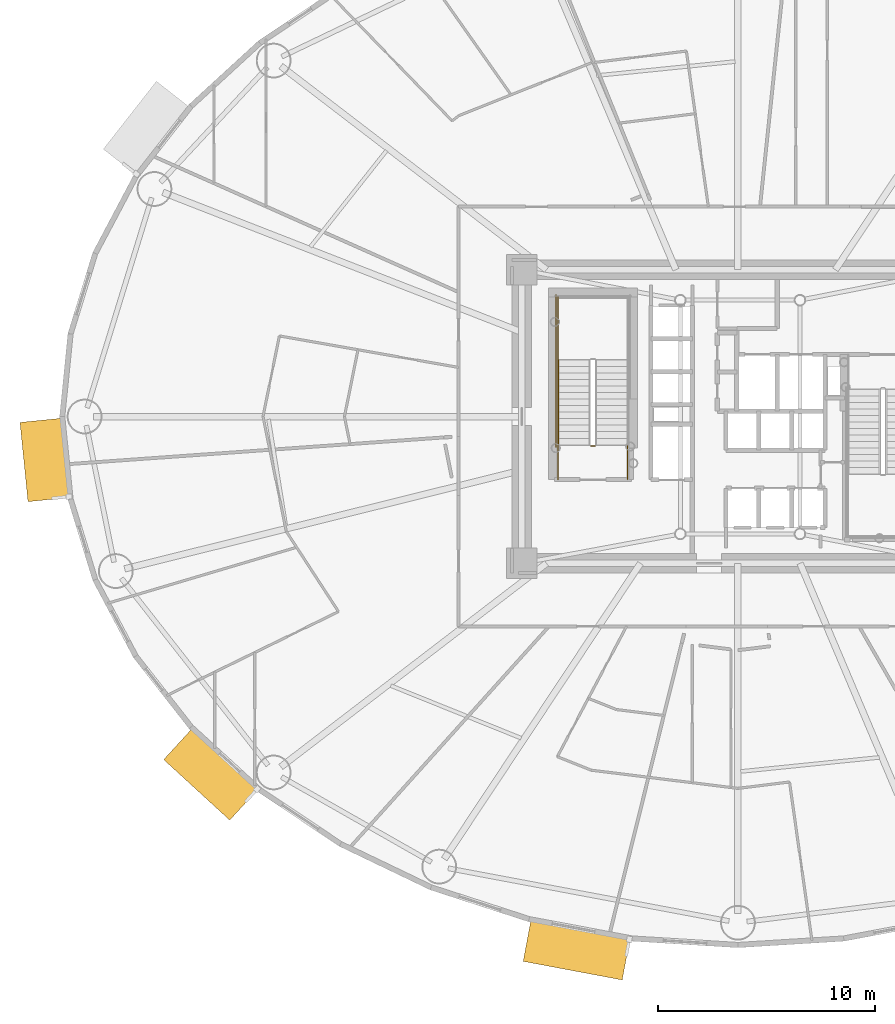
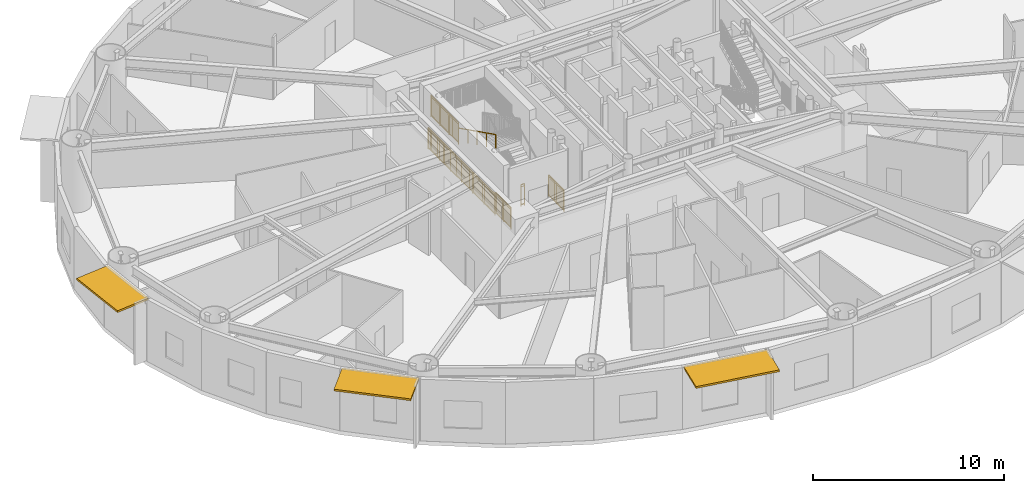
# One storey, part 14 of 20: 6 railings, 3 shading devices.
"""IFC4 building model written with IfcOpenShell, lengths in metres."""

from ifc_helpers import new_model, si_unit, direction, frame, origin, origin_2d, place, context, subcontext, project, spatial, rectangle, extrude, source, transform, mapped, material, layer, layer_set, type_object, element, save


model = new_model("IFC4")

# Units and contexts
model_context = context("Model", 3, precision=1e-05, world=origin(), true_north=direction((0.0, 1.0)))
body_context = subcontext(model_context, "Body", "Model", "MODEL_VIEW")
ifc_project = project(units=[si_unit("LENGTHUNIT", "METRE"), si_unit("AREAUNIT", "SQUARE_METRE"), si_unit("VOLUMEUNIT", "CUBIC_METRE"), si_unit("PLANEANGLEUNIT", "RADIAN"), si_unit("MASSUNIT", "GRAM", prefix="KILO")], contexts=[model_context])

# Site, building, storey
site_placement = place(None, origin())
site = spatial("IfcSite", under=ifc_project, at=site_placement, CompositionType="ELEMENT")
building_placement = place(site_placement, origin())
building = spatial("IfcBuilding", under=site, at=building_placement, Name="Linh Dai School and Residence Tower", CompositionType="ELEMENT")
storey_placement = place(building_placement, frame((0.0, 0.0, 66.0)))
storey = spatial("IfcBuildingStorey", under=building, at=storey_placement, Name="L15", CompositionType="ELEMENT", Elevation=66.0)

# Shading devices
ifc_material_1 = material(Name="Terracotta Ceramic Sunshade", Category="masonry")
ifc_layer = layer(ifc_material_1, 0.1201171875)
ifc_layer_set = layer_set([ifc_layer], Name="Terracotta Ceramic Sunshade")
shading_device_type = type_object("IfcShadingDeviceType", Name="SHD-TC-2000", PredefinedType="USERDEFINED", material=ifc_layer_set)
shared_shape_1 = source(origin(), body_context, "Body", "SweptSolid", [
    extrude(rectangle(XDim=3.663330078125, YDim=2.0, at=origin_2d()), origin(), (0.0, 0.0, 1.0), 0.1201171875),
])
shading_device_1_placement = place(storey_placement, frame((4.16064453125, 25.005615234375, 3.81005859375), z_axis=(0.0, 0.0, 1.0), x_axis=(-0.100009387998, 0.994986493533, 0.0)))
element("IfcShadingDevice", 1, at=shading_device_1_placement, inside=storey, type_object=shading_device_type, Name="L15 Terracotta Horizontal Sunshade Band 21", ObjectType="SUNSHADE", PredefinedType="USERDEFINED", context=body_context, shape_type="MappedRepresentation", body=[
    mapped(shared_shape_1, transform((0.0, 0.0, 0.0), x_axis=(1.0, 0.0, 0.0), y_axis=(0.0, 1.0, 0.0), z_axis=(0.0, 0.0, 1.0), scale=1.0)),
])
shared_shape_2 = source(origin(), body_context, "Body", "SweptSolid", [
    extrude(rectangle(XDim=4.1220703125, YDim=2.0, at=origin_2d()), origin(), (0.0, 0.0, 1.0), 0.1201171875),
])
shading_device_2_placement = place(storey_placement, frame((11.7841796875, 10.56689453125, 3.81005859375), z_axis=(0.0, 0.0, 1.0), x_axis=(-0.737113246362, 0.675769237268, 0.0)))
element("IfcShadingDevice", 2, at=shading_device_2_placement, inside=storey, type_object=shading_device_type, Name="L15 Terracotta Horizontal Sunshade Band 25", ObjectType="SUNSHADE", PredefinedType="USERDEFINED", context=body_context, shape_type="MappedRepresentation", body=[
    mapped(shared_shape_2, transform((0.0, 0.0, 0.0), x_axis=(1.0, 0.0, 0.0), y_axis=(0.0, 1.0, 0.0), z_axis=(0.0, 0.0, 1.0), scale=1.0)),
])
shared_shape_3 = source(origin(), body_context, "Body", "SweptSolid", [
    extrude(rectangle(XDim=4.635009765625, YDim=2.0, at=origin_2d()), origin(), (0.0, 0.0, 1.0), 0.1201171875),
])
shading_device_3_placement = place(storey_placement, frame((28.584716796875, 2.497314453125, 3.81005859375), z_axis=(0.0, 0.0, 1.0), x_axis=(-0.982785935675, 0.184747948944, 0.0)))
element("IfcShadingDevice", 3, at=shading_device_3_placement, inside=storey, type_object=shading_device_type, Name="L15 Terracotta Horizontal Sunshade Band 29", ObjectType="SUNSHADE", PredefinedType="USERDEFINED", context=body_context, shape_type="MappedRepresentation", body=[
    mapped(shared_shape_3, transform((0.0, 0.0, 0.0), x_axis=(1.0, 0.0, 0.0), y_axis=(0.0, 1.0, 0.0), z_axis=(0.0, 0.0, 1.0), scale=1.0)),
])

# Railings
ifc_material_2 = material(Name="Structural Steel S355JR", Category="steel")
railing_type_1 = type_object("IfcRailingType", Name="RL-ST-GUARD-1400", PredefinedType="GUARDRAIL", material=ifc_material_2)
shared_shape_4 = source(origin(), body_context, "Body", "SweptSolid", [
    extrude(rectangle(XDim=0.048095703125, YDim=0.048095703125, at=origin_2d()), frame((0.0, 0.0, 1.3759765625), z_axis=(-1.0, 0.0, 0.0), x_axis=(0.0, -1.0, 0.0)), (0.0, 0.0, 1.0), 0.199951171875),
    extrude(rectangle(XDim=0.048095703125, YDim=0.048095703125, at=origin_2d()), frame((0.0, 0.0, 0.10009765625), z_axis=(-1.0, 0.0, 0.0), x_axis=(0.0, -1.0, 0.0)), (0.0, 0.0, 1.0), 0.199951171875),
    extrude(rectangle(XDim=0.030029296875, YDim=0.030029296875, at=origin_2d()), frame((0.0, 0.0, 1.239990234375), z_axis=(-1.0, 0.0, 0.0), x_axis=(0.0, -1.0, 0.0)), (0.0, 0.0, 1.0), 0.199951171875),
    extrude(rectangle(XDim=0.0419921875, YDim=0.0419921875, at=origin_2d()), origin(), (0.0, 0.0, 1.0), 1.3759765625),
    extrude(rectangle(XDim=0.0419921875, YDim=0.0419921875, at=origin_2d()), frame((-0.199951171875, 0.0, 0.0)), (0.0, 0.0, 1.0), 1.3759765625),
])
railing_1_placement = place(storey_placement, frame((29.429931640625, 25.64990234375, 0.0)))
element("IfcRailing", 4, at=railing_1_placement, inside=storey, type_object=railing_type_1, Name="L15 ST1 stair guard 7", PredefinedType="GUARDRAIL", context=body_context, shape_type="MappedRepresentation", body=[
    mapped(shared_shape_4, transform((0.0, 0.0, 0.0), x_axis=(1.0, 0.0, 0.0), y_axis=(0.0, 1.0, 0.0), z_axis=(0.0, 0.0, 1.0), scale=1.0)),
])
shared_shape_5 = source(origin(), body_context, "Body", "SweptSolid", [
    extrude(rectangle(XDim=0.048095703125, YDim=0.048095703125, at=origin_2d()), frame((0.0, 0.0, 1.3759765625), z_axis=(0.0, 1.0, 0.0), x_axis=(-1.0, 0.0, 0.0)), (0.0, 0.0, 1.0), 1.599853515625),
    extrude(rectangle(XDim=0.048095703125, YDim=0.048095703125, at=origin_2d()), frame((0.0, 0.0, 0.10009765625), z_axis=(0.0, 1.0, 0.0), x_axis=(-1.0, 0.0, 0.0)), (0.0, 0.0, 1.0), 1.599853515625),
    extrude(rectangle(XDim=0.030029296875, YDim=0.030029296875, at=origin_2d()), frame((0.0, 0.0, 1.239990234375), z_axis=(0.0, 1.0, 0.0), x_axis=(-1.0, 0.0, 0.0)), (0.0, 0.0, 1.0), 1.599853515625),
    extrude(rectangle(XDim=0.02001953125, YDim=0.02001953125, at=origin_2d()), frame((0.0, 0.093994140625, 0.10009765625)), (0.0, 0.0, 1.0), 1.251708984375),
    extrude(rectangle(XDim=0.02001953125, YDim=0.02001953125, at=origin_2d()), frame((0.0, 0.188232421875, 0.10009765625)), (0.0, 0.0, 1.0), 1.251708984375),
    extrude(rectangle(XDim=0.02001953125, YDim=0.02001953125, at=origin_2d()), frame((0.0, 0.2822265625, 0.10009765625)), (0.0, 0.0, 1.0), 1.251708984375),
    extrude(rectangle(XDim=0.02001953125, YDim=0.02001953125, at=origin_2d()), frame((0.0, 0.37646484375, 0.10009765625)), (0.0, 0.0, 1.0), 1.251708984375),
    extrude(rectangle(XDim=0.02001953125, YDim=0.02001953125, at=origin_2d()), frame((0.0, 0.470458984375, 0.10009765625)), (0.0, 0.0, 1.0), 1.251708984375),
    extrude(rectangle(XDim=0.02001953125, YDim=0.02001953125, at=origin_2d()), frame((0.0, 0.564697265625, 0.10009765625)), (0.0, 0.0, 1.0), 1.251708984375),
    extrude(rectangle(XDim=0.02001953125, YDim=0.02001953125, at=origin_2d()), frame((0.0, 0.65869140625, 0.10009765625)), (0.0, 0.0, 1.0), 1.251708984375),
    extrude(rectangle(XDim=0.02001953125, YDim=0.02001953125, at=origin_2d()), frame((0.0, 0.7529296875, 0.10009765625)), (0.0, 0.0, 1.0), 1.251708984375),
    extrude(rectangle(XDim=0.02001953125, YDim=0.02001953125, at=origin_2d()), frame((0.0, 0.846923828125, 0.10009765625)), (0.0, 0.0, 1.0), 1.251708984375),
    extrude(rectangle(XDim=0.02001953125, YDim=0.02001953125, at=origin_2d()), frame((0.0, 0.941162109375, 0.10009765625)), (0.0, 0.0, 1.0), 1.251708984375),
    extrude(rectangle(XDim=0.02001953125, YDim=0.02001953125, at=origin_2d()), frame((0.0, 1.03515625, 0.10009765625)), (0.0, 0.0, 1.0), 1.251708984375),
    extrude(rectangle(XDim=0.02001953125, YDim=0.02001953125, at=origin_2d()), frame((0.0, 1.12939453125, 0.10009765625)), (0.0, 0.0, 1.0), 1.251708984375),
    extrude(rectangle(XDim=0.02001953125, YDim=0.02001953125, at=origin_2d()), frame((0.0, 1.223388671875, 0.10009765625)), (0.0, 0.0, 1.0), 1.251708984375),
    extrude(rectangle(XDim=0.02001953125, YDim=0.02001953125, at=origin_2d()), frame((0.0, 1.317626953125, 0.10009765625)), (0.0, 0.0, 1.0), 1.251708984375),
    extrude(rectangle(XDim=0.02001953125, YDim=0.02001953125, at=origin_2d()), frame((0.0, 1.41162109375, 0.10009765625)), (0.0, 0.0, 1.0), 1.251708984375),
    extrude(rectangle(XDim=0.02001953125, YDim=0.02001953125, at=origin_2d()), frame((0.0, 1.505859375, 0.10009765625)), (0.0, 0.0, 1.0), 1.251708984375),
    extrude(rectangle(XDim=0.0419921875, YDim=0.0419921875, at=origin_2d()), origin(), (0.0, 0.0, 1.0), 1.3759765625),
    extrude(rectangle(XDim=0.0419921875, YDim=0.0419921875, at=origin_2d()), frame((0.0, 0.7998046875, 0.0)), (0.0, 0.0, 1.0), 1.3759765625),
    extrude(rectangle(XDim=0.0419921875, YDim=0.0419921875, at=origin_2d()), frame((0.0, 1.599853515625, 0.0)), (0.0, 0.0, 1.0), 1.3759765625),
])
for number, where, name in (
    (5, (30.929931640625, 24.10009765625, 0.0), "L15 ST1 stair guard 8"),
    (6, (27.72998046875, 24.10009765625, 0.0), "L15 ST1 stair guard 9"),
):
    element("IfcRailing", number, at=place(storey_placement, frame(where)), inside=storey, type_object=railing_type_1, Name=name, PredefinedType="GUARDRAIL", context=body_context, shape_type="MappedRepresentation", body=[
        mapped(shared_shape_5, transform((0.0, 0.0, 0.0), x_axis=(1.0, 0.0, 0.0), y_axis=(0.0, 1.0, 0.0), z_axis=(0.0, 0.0, 1.0), scale=1.0)),
    ])
shared_shape_6 = source(origin(), body_context, "Body", "SweptSolid", [
    extrude(rectangle(XDim=0.048095703125, YDim=0.048095703125, at=origin_2d()), frame((0.0, 0.0, 1.3759765625), z_axis=(0.0, 1.0, 0.0), x_axis=(-1.0, 0.0, 0.0)), (0.0, 0.0, 1.0), 7.0),
    extrude(rectangle(XDim=0.048095703125, YDim=0.048095703125, at=origin_2d()), frame((0.0, 0.0, 0.10009765625), z_axis=(0.0, 1.0, 0.0), x_axis=(-1.0, 0.0, 0.0)), (0.0, 0.0, 1.0), 7.0),
    extrude(rectangle(XDim=0.030029296875, YDim=0.030029296875, at=origin_2d()), frame((0.0, 0.0, 1.239990234375), z_axis=(0.0, 1.0, 0.0), x_axis=(-1.0, 0.0, 0.0)), (0.0, 0.0, 1.0), 7.0),
    extrude(rectangle(XDim=0.02001953125, YDim=0.02001953125, at=origin_2d()), frame((0.0, 0.09716796875, 0.10009765625)), (0.0, 0.0, 1.0), 1.251708984375),
    extrude(rectangle(XDim=0.02001953125, YDim=0.02001953125, at=origin_2d()), frame((0.0, 0.1943359375, 0.10009765625)), (0.0, 0.0, 1.0), 1.251708984375),
    extrude(rectangle(XDim=0.02001953125, YDim=0.02001953125, at=origin_2d()), frame((0.0, 0.291748046875, 0.10009765625)), (0.0, 0.0, 1.0), 1.251708984375),
    extrude(rectangle(XDim=0.02001953125, YDim=0.02001953125, at=origin_2d()), frame((0.0, 0.388916015625, 0.10009765625)), (0.0, 0.0, 1.0), 1.251708984375),
    extrude(rectangle(XDim=0.02001953125, YDim=0.02001953125, at=origin_2d()), frame((0.0, 0.486083984375, 0.10009765625)), (0.0, 0.0, 1.0), 1.251708984375),
    extrude(rectangle(XDim=0.02001953125, YDim=0.02001953125, at=origin_2d()), frame((0.0, 0.583251953125, 0.10009765625)), (0.0, 0.0, 1.0), 1.251708984375),
    extrude(rectangle(XDim=0.02001953125, YDim=0.02001953125, at=origin_2d()), frame((0.0, 0.6806640625, 0.10009765625)), (0.0, 0.0, 1.0), 1.251708984375),
    extrude(rectangle(XDim=0.02001953125, YDim=0.02001953125, at=origin_2d()), frame((0.0, 0.77783203125, 0.10009765625)), (0.0, 0.0, 1.0), 1.251708984375),
    extrude(rectangle(XDim=0.02001953125, YDim=0.02001953125, at=origin_2d()), frame((0.0, 0.875, 0.10009765625)), (0.0, 0.0, 1.0), 1.251708984375),
    extrude(rectangle(XDim=0.02001953125, YDim=0.02001953125, at=origin_2d()), frame((0.0, 0.97216796875, 0.10009765625)), (0.0, 0.0, 1.0), 1.251708984375),
    extrude(rectangle(XDim=0.02001953125, YDim=0.02001953125, at=origin_2d()), frame((0.0, 1.0693359375, 0.10009765625)), (0.0, 0.0, 1.0), 1.251708984375),
    extrude(rectangle(XDim=0.02001953125, YDim=0.02001953125, at=origin_2d()), frame((0.0, 1.263916015625, 0.10009765625)), (0.0, 0.0, 1.0), 1.251708984375),
    extrude(rectangle(XDim=0.02001953125, YDim=0.02001953125, at=origin_2d()), frame((0.0, 1.361083984375, 0.10009765625)), (0.0, 0.0, 1.0), 1.251708984375),
    extrude(rectangle(XDim=0.02001953125, YDim=0.02001953125, at=origin_2d()), frame((0.0, 1.458251953125, 0.10009765625)), (0.0, 0.0, 1.0), 1.251708984375),
    extrude(rectangle(XDim=0.02001953125, YDim=0.02001953125, at=origin_2d()), frame((0.0, 1.5556640625, 0.10009765625)), (0.0, 0.0, 1.0), 1.251708984375),
    extrude(rectangle(XDim=0.02001953125, YDim=0.02001953125, at=origin_2d()), frame((0.0, 1.65283203125, 0.10009765625)), (0.0, 0.0, 1.0), 1.251708984375),
    extrude(rectangle(XDim=0.02001953125, YDim=0.02001953125, at=origin_2d()), frame((0.0, 1.75, 0.10009765625)), (0.0, 0.0, 1.0), 1.251708984375),
    extrude(rectangle(XDim=0.02001953125, YDim=0.02001953125, at=origin_2d()), frame((0.0, 1.84716796875, 0.10009765625)), (0.0, 0.0, 1.0), 1.251708984375),
    extrude(rectangle(XDim=0.02001953125, YDim=0.02001953125, at=origin_2d()), frame((0.0, 1.9443359375, 0.10009765625)), (0.0, 0.0, 1.0), 1.251708984375),
    extrude(rectangle(XDim=0.02001953125, YDim=0.02001953125, at=origin_2d()), frame((0.0, 2.041748046875, 0.10009765625)), (0.0, 0.0, 1.0), 1.251708984375),
    extrude(rectangle(XDim=0.02001953125, YDim=0.02001953125, at=origin_2d()), frame((0.0, 2.138916015625, 0.10009765625)), (0.0, 0.0, 1.0), 1.251708984375),
    extrude(rectangle(XDim=0.02001953125, YDim=0.02001953125, at=origin_2d()), frame((0.0, 2.236083984375, 0.10009765625)), (0.0, 0.0, 1.0), 1.251708984375),
    extrude(rectangle(XDim=0.02001953125, YDim=0.02001953125, at=origin_2d()), frame((0.0, 2.4306640625, 0.10009765625)), (0.0, 0.0, 1.0), 1.251708984375),
    extrude(rectangle(XDim=0.02001953125, YDim=0.02001953125, at=origin_2d()), frame((0.0, 2.52783203125, 0.10009765625)), (0.0, 0.0, 1.0), 1.251708984375),
    extrude(rectangle(XDim=0.02001953125, YDim=0.02001953125, at=origin_2d()), frame((0.0, 2.625, 0.10009765625)), (0.0, 0.0, 1.0), 1.251708984375),
    extrude(rectangle(XDim=0.02001953125, YDim=0.02001953125, at=origin_2d()), frame((0.0, 2.72216796875, 0.10009765625)), (0.0, 0.0, 1.0), 1.251708984375),
    extrude(rectangle(XDim=0.02001953125, YDim=0.02001953125, at=origin_2d()), frame((0.0, 2.8193359375, 0.10009765625)), (0.0, 0.0, 1.0), 1.251708984375),
    extrude(rectangle(XDim=0.02001953125, YDim=0.02001953125, at=origin_2d()), frame((0.0, 2.916748046875, 0.10009765625)), (0.0, 0.0, 1.0), 1.251708984375),
    extrude(rectangle(XDim=0.02001953125, YDim=0.02001953125, at=origin_2d()), frame((0.0, 3.013916015625, 0.10009765625)), (0.0, 0.0, 1.0), 1.251708984375),
    extrude(rectangle(XDim=0.02001953125, YDim=0.02001953125, at=origin_2d()), frame((0.0, 3.111083984375, 0.10009765625)), (0.0, 0.0, 1.0), 1.251708984375),
    extrude(rectangle(XDim=0.02001953125, YDim=0.02001953125, at=origin_2d()), frame((0.0, 3.208251953125, 0.10009765625)), (0.0, 0.0, 1.0), 1.251708984375),
    extrude(rectangle(XDim=0.02001953125, YDim=0.02001953125, at=origin_2d()), frame((0.0, 3.3056640625, 0.10009765625)), (0.0, 0.0, 1.0), 1.251708984375),
    extrude(rectangle(XDim=0.02001953125, YDim=0.02001953125, at=origin_2d()), frame((0.0, 3.40283203125, 0.10009765625)), (0.0, 0.0, 1.0), 1.251708984375),
    extrude(rectangle(XDim=0.02001953125, YDim=0.02001953125, at=origin_2d()), frame((0.0, 3.59716796875, 0.10009765625)), (0.0, 0.0, 1.0), 1.251708984375),
    extrude(rectangle(XDim=0.02001953125, YDim=0.02001953125, at=origin_2d()), frame((0.0, 3.6943359375, 0.10009765625)), (0.0, 0.0, 1.0), 1.251708984375),
    extrude(rectangle(XDim=0.02001953125, YDim=0.02001953125, at=origin_2d()), frame((0.0, 3.791748046875, 0.10009765625)), (0.0, 0.0, 1.0), 1.251708984375),
    extrude(rectangle(XDim=0.02001953125, YDim=0.02001953125, at=origin_2d()), frame((0.0, 3.888916015625, 0.10009765625)), (0.0, 0.0, 1.0), 1.251708984375),
    extrude(rectangle(XDim=0.02001953125, YDim=0.02001953125, at=origin_2d()), frame((0.0, 3.986083984375, 0.10009765625)), (0.0, 0.0, 1.0), 1.251708984375),
    extrude(rectangle(XDim=0.02001953125, YDim=0.02001953125, at=origin_2d()), frame((0.0, 4.083251953125, 0.10009765625)), (0.0, 0.0, 1.0), 1.251708984375),
    extrude(rectangle(XDim=0.02001953125, YDim=0.02001953125, at=origin_2d()), frame((0.0, 4.1806640625, 0.10009765625)), (0.0, 0.0, 1.0), 1.251708984375),
    extrude(rectangle(XDim=0.02001953125, YDim=0.02001953125, at=origin_2d()), frame((0.0, 4.27783203125, 0.10009765625)), (0.0, 0.0, 1.0), 1.251708984375),
    extrude(rectangle(XDim=0.02001953125, YDim=0.02001953125, at=origin_2d()), frame((0.0, 4.375, 0.10009765625)), (0.0, 0.0, 1.0), 1.251708984375),
    extrude(rectangle(XDim=0.02001953125, YDim=0.02001953125, at=origin_2d()), frame((0.0, 4.47216796875, 0.10009765625)), (0.0, 0.0, 1.0), 1.251708984375),
    extrude(rectangle(XDim=0.02001953125, YDim=0.02001953125, at=origin_2d()), frame((0.0, 4.5693359375, 0.10009765625)), (0.0, 0.0, 1.0), 1.251708984375),
    extrude(rectangle(XDim=0.02001953125, YDim=0.02001953125, at=origin_2d()), frame((0.0, 4.763916015625, 0.10009765625)), (0.0, 0.0, 1.0), 1.251708984375),
    extrude(rectangle(XDim=0.02001953125, YDim=0.02001953125, at=origin_2d()), frame((0.0, 4.861083984375, 0.10009765625)), (0.0, 0.0, 1.0), 1.251708984375),
    extrude(rectangle(XDim=0.02001953125, YDim=0.02001953125, at=origin_2d()), frame((0.0, 4.958251953125, 0.10009765625)), (0.0, 0.0, 1.0), 1.251708984375),
    extrude(rectangle(XDim=0.02001953125, YDim=0.02001953125, at=origin_2d()), frame((0.0, 5.0556640625, 0.10009765625)), (0.0, 0.0, 1.0), 1.251708984375),
    extrude(rectangle(XDim=0.02001953125, YDim=0.02001953125, at=origin_2d()), frame((0.0, 5.15283203125, 0.10009765625)), (0.0, 0.0, 1.0), 1.251708984375),
    extrude(rectangle(XDim=0.02001953125, YDim=0.02001953125, at=origin_2d()), frame((0.0, 5.25, 0.10009765625)), (0.0, 0.0, 1.0), 1.251708984375),
    extrude(rectangle(XDim=0.02001953125, YDim=0.02001953125, at=origin_2d()), frame((0.0, 5.34716796875, 0.10009765625)), (0.0, 0.0, 1.0), 1.251708984375),
    extrude(rectangle(XDim=0.02001953125, YDim=0.02001953125, at=origin_2d()), frame((0.0, 5.4443359375, 0.10009765625)), (0.0, 0.0, 1.0), 1.251708984375),
    extrude(rectangle(XDim=0.02001953125, YDim=0.02001953125, at=origin_2d()), frame((0.0, 5.541748046875, 0.10009765625)), (0.0, 0.0, 1.0), 1.251708984375),
    extrude(rectangle(XDim=0.02001953125, YDim=0.02001953125, at=origin_2d()), frame((0.0, 5.638916015625, 0.10009765625)), (0.0, 0.0, 1.0), 1.251708984375),
    extrude(rectangle(XDim=0.02001953125, YDim=0.02001953125, at=origin_2d()), frame((0.0, 5.736083984375, 0.10009765625)), (0.0, 0.0, 1.0), 1.251708984375),
    extrude(rectangle(XDim=0.02001953125, YDim=0.02001953125, at=origin_2d()), frame((0.0, 5.9306640625, 0.10009765625)), (0.0, 0.0, 1.0), 1.251708984375),
    extrude(rectangle(XDim=0.02001953125, YDim=0.02001953125, at=origin_2d()), frame((0.0, 6.02783203125, 0.10009765625)), (0.0, 0.0, 1.0), 1.251708984375),
    extrude(rectangle(XDim=0.02001953125, YDim=0.02001953125, at=origin_2d()), frame((0.0, 6.125, 0.10009765625)), (0.0, 0.0, 1.0), 1.251708984375),
    extrude(rectangle(XDim=0.02001953125, YDim=0.02001953125, at=origin_2d()), frame((0.0, 6.22216796875, 0.10009765625)), (0.0, 0.0, 1.0), 1.251708984375),
    extrude(rectangle(XDim=0.02001953125, YDim=0.02001953125, at=origin_2d()), frame((0.0, 6.3193359375, 0.10009765625)), (0.0, 0.0, 1.0), 1.251708984375),
    extrude(rectangle(XDim=0.02001953125, YDim=0.02001953125, at=origin_2d()), frame((0.0, 6.416748046875, 0.10009765625)), (0.0, 0.0, 1.0), 1.251708984375),
    extrude(rectangle(XDim=0.02001953125, YDim=0.02001953125, at=origin_2d()), frame((0.0, 6.513916015625, 0.10009765625)), (0.0, 0.0, 1.0), 1.251708984375),
    extrude(rectangle(XDim=0.02001953125, YDim=0.02001953125, at=origin_2d()), frame((0.0, 6.611083984375, 0.10009765625)), (0.0, 0.0, 1.0), 1.251708984375),
    extrude(rectangle(XDim=0.02001953125, YDim=0.02001953125, at=origin_2d()), frame((0.0, 6.708251953125, 0.10009765625)), (0.0, 0.0, 1.0), 1.251708984375),
    extrude(rectangle(XDim=0.02001953125, YDim=0.02001953125, at=origin_2d()), frame((0.0, 6.8056640625, 0.10009765625)), (0.0, 0.0, 1.0), 1.251708984375),
    extrude(rectangle(XDim=0.02001953125, YDim=0.02001953125, at=origin_2d()), frame((0.0, 6.90283203125, 0.10009765625)), (0.0, 0.0, 1.0), 1.251708984375),
    extrude(rectangle(XDim=0.0419921875, YDim=0.0419921875, at=origin_2d()), origin(), (0.0, 0.0, 1.0), 1.3759765625),
    extrude(rectangle(XDim=0.0419921875, YDim=0.0419921875, at=origin_2d()), frame((0.0, 1.166748046875, 0.0)), (0.0, 0.0, 1.0), 1.3759765625),
    extrude(rectangle(XDim=0.0419921875, YDim=0.0419921875, at=origin_2d()), frame((0.0, 2.333251953125, 0.0)), (0.0, 0.0, 1.0), 1.3759765625),
    extrude(rectangle(XDim=0.0419921875, YDim=0.0419921875, at=origin_2d()), frame((0.0, 3.5, 0.0)), (0.0, 0.0, 1.0), 1.3759765625),
    extrude(rectangle(XDim=0.0419921875, YDim=0.0419921875, at=origin_2d()), frame((0.0, 4.666748046875, 0.0)), (0.0, 0.0, 1.0), 1.3759765625),
    extrude(rectangle(XDim=0.0419921875, YDim=0.0419921875, at=origin_2d()), frame((0.0, 5.833251953125, 0.0)), (0.0, 0.0, 1.0), 1.3759765625),
    extrude(rectangle(XDim=0.0419921875, YDim=0.0419921875, at=origin_2d()), frame((0.0, 7.0, 0.0)), (0.0, 0.0, 1.0), 1.3759765625),
])
railing_2_placement = place(storey_placement, frame((27.6298828125, 25.60009765625, 0.0)))
element("IfcRailing", 7, at=railing_2_placement, inside=storey, type_object=railing_type_1, Name="L15 ST1 stair guard 11", PredefinedType="GUARDRAIL", context=body_context, shape_type="MappedRepresentation", body=[
    mapped(shared_shape_6, transform((0.0, 0.0, 0.0), x_axis=(1.0, 0.0, 0.0), y_axis=(0.0, 1.0, 0.0), z_axis=(0.0, 0.0, 1.0), scale=1.0)),
])
shared_shape_7 = source(origin(), body_context, "Body", "SweptSolid", [
    extrude(rectangle(XDim=0.048095703125, YDim=0.048095703125, at=origin_2d()), frame((0.0, 0.0, 1.3759765625), z_axis=(0.0, 1.0, 0.0), x_axis=(-1.0, 0.0, 0.0)), (0.0, 0.0, 1.0), 2.89990234375),
    extrude(rectangle(XDim=0.048095703125, YDim=0.048095703125, at=origin_2d()), frame((0.0, 0.0, 0.10009765625), z_axis=(0.0, 1.0, 0.0), x_axis=(-1.0, 0.0, 0.0)), (0.0, 0.0, 1.0), 2.89990234375),
    extrude(rectangle(XDim=0.030029296875, YDim=0.030029296875, at=origin_2d()), frame((0.0, 0.0, 1.239990234375), z_axis=(0.0, 1.0, 0.0), x_axis=(-1.0, 0.0, 0.0)), (0.0, 0.0, 1.0), 2.89990234375),
    extrude(rectangle(XDim=0.02001953125, YDim=0.02001953125, at=origin_2d()), frame((0.0, 0.0966796875, 0.10009765625)), (0.0, 0.0, 1.0), 1.251708984375),
    extrude(rectangle(XDim=0.02001953125, YDim=0.02001953125, at=origin_2d()), frame((0.0, 0.193359375, 0.10009765625)), (0.0, 0.0, 1.0), 1.251708984375),
    extrude(rectangle(XDim=0.02001953125, YDim=0.02001953125, at=origin_2d()), frame((0.0, 0.2900390625, 0.10009765625)), (0.0, 0.0, 1.0), 1.251708984375),
    extrude(rectangle(XDim=0.02001953125, YDim=0.02001953125, at=origin_2d()), frame((0.0, 0.38671875, 0.10009765625)), (0.0, 0.0, 1.0), 1.251708984375),
    extrude(rectangle(XDim=0.02001953125, YDim=0.02001953125, at=origin_2d()), frame((0.0, 0.4833984375, 0.10009765625)), (0.0, 0.0, 1.0), 1.251708984375),
    extrude(rectangle(XDim=0.02001953125, YDim=0.02001953125, at=origin_2d()), frame((0.0, 0.580078125, 0.10009765625)), (0.0, 0.0, 1.0), 1.251708984375),
    extrude(rectangle(XDim=0.02001953125, YDim=0.02001953125, at=origin_2d()), frame((0.0, 0.6767578125, 0.10009765625)), (0.0, 0.0, 1.0), 1.251708984375),
    extrude(rectangle(XDim=0.02001953125, YDim=0.02001953125, at=origin_2d()), frame((0.0, 0.773193359375, 0.10009765625)), (0.0, 0.0, 1.0), 1.251708984375),
    extrude(rectangle(XDim=0.02001953125, YDim=0.02001953125, at=origin_2d()), frame((0.0, 0.869873046875, 0.10009765625)), (0.0, 0.0, 1.0), 1.251708984375),
    extrude(rectangle(XDim=0.02001953125, YDim=0.02001953125, at=origin_2d()), frame((0.0, 1.063232421875, 0.10009765625)), (0.0, 0.0, 1.0), 1.251708984375),
    extrude(rectangle(XDim=0.02001953125, YDim=0.02001953125, at=origin_2d()), frame((0.0, 1.159912109375, 0.10009765625)), (0.0, 0.0, 1.0), 1.251708984375),
    extrude(rectangle(XDim=0.02001953125, YDim=0.02001953125, at=origin_2d()), frame((0.0, 1.256591796875, 0.10009765625)), (0.0, 0.0, 1.0), 1.251708984375),
    extrude(rectangle(XDim=0.02001953125, YDim=0.02001953125, at=origin_2d()), frame((0.0, 1.353271484375, 0.10009765625)), (0.0, 0.0, 1.0), 1.251708984375),
    extrude(rectangle(XDim=0.02001953125, YDim=0.02001953125, at=origin_2d()), frame((0.0, 1.449951171875, 0.10009765625)), (0.0, 0.0, 1.0), 1.251708984375),
    extrude(rectangle(XDim=0.02001953125, YDim=0.02001953125, at=origin_2d()), frame((0.0, 1.546630859375, 0.10009765625)), (0.0, 0.0, 1.0), 1.251708984375),
    extrude(rectangle(XDim=0.02001953125, YDim=0.02001953125, at=origin_2d()), frame((0.0, 1.643310546875, 0.10009765625)), (0.0, 0.0, 1.0), 1.251708984375),
    extrude(rectangle(XDim=0.02001953125, YDim=0.02001953125, at=origin_2d()), frame((0.0, 1.739990234375, 0.10009765625)), (0.0, 0.0, 1.0), 1.251708984375),
    extrude(rectangle(XDim=0.02001953125, YDim=0.02001953125, at=origin_2d()), frame((0.0, 1.836669921875, 0.10009765625)), (0.0, 0.0, 1.0), 1.251708984375),
    extrude(rectangle(XDim=0.02001953125, YDim=0.02001953125, at=origin_2d()), frame((0.0, 2.030029296875, 0.10009765625)), (0.0, 0.0, 1.0), 1.251708984375),
    extrude(rectangle(XDim=0.02001953125, YDim=0.02001953125, at=origin_2d()), frame((0.0, 2.126708984375, 0.10009765625)), (0.0, 0.0, 1.0), 1.251708984375),
    extrude(rectangle(XDim=0.02001953125, YDim=0.02001953125, at=origin_2d()), frame((0.0, 2.22314453125, 0.10009765625)), (0.0, 0.0, 1.0), 1.251708984375),
    extrude(rectangle(XDim=0.02001953125, YDim=0.02001953125, at=origin_2d()), frame((0.0, 2.31982421875, 0.10009765625)), (0.0, 0.0, 1.0), 1.251708984375),
    extrude(rectangle(XDim=0.02001953125, YDim=0.02001953125, at=origin_2d()), frame((0.0, 2.41650390625, 0.10009765625)), (0.0, 0.0, 1.0), 1.251708984375),
    extrude(rectangle(XDim=0.02001953125, YDim=0.02001953125, at=origin_2d()), frame((0.0, 2.51318359375, 0.10009765625)), (0.0, 0.0, 1.0), 1.251708984375),
    extrude(rectangle(XDim=0.02001953125, YDim=0.02001953125, at=origin_2d()), frame((0.0, 2.60986328125, 0.10009765625)), (0.0, 0.0, 1.0), 1.251708984375),
    extrude(rectangle(XDim=0.02001953125, YDim=0.02001953125, at=origin_2d()), frame((0.0, 2.70654296875, 0.10009765625)), (0.0, 0.0, 1.0), 1.251708984375),
    extrude(rectangle(XDim=0.02001953125, YDim=0.02001953125, at=origin_2d()), frame((0.0, 2.80322265625, 0.10009765625)), (0.0, 0.0, 1.0), 1.251708984375),
    extrude(rectangle(XDim=0.0419921875, YDim=0.0419921875, at=origin_2d()), origin(), (0.0, 0.0, 1.0), 1.3759765625),
    extrude(rectangle(XDim=0.0419921875, YDim=0.0419921875, at=origin_2d()), frame((0.0, 0.966552734375, 0.0)), (0.0, 0.0, 1.0), 1.3759765625),
    extrude(rectangle(XDim=0.0419921875, YDim=0.0419921875, at=origin_2d()), frame((0.0, 1.933349609375, 0.0)), (0.0, 0.0, 1.0), 1.3759765625),
    extrude(rectangle(XDim=0.0419921875, YDim=0.0419921875, at=origin_2d()), frame((0.0, 2.89990234375, 0.0)), (0.0, 0.0, 1.0), 1.3759765625),
])
railing_3_placement = place(storey_placement, frame((27.72998046875, 29.60009765625, 2.10009765625)))
element("IfcRailing", 8, at=railing_3_placement, inside=storey, type_object=railing_type_1, Name="L15 ST1 stair guard 4", PredefinedType="GUARDRAIL", context=body_context, shape_type="MappedRepresentation", body=[
    mapped(shared_shape_7, transform((0.0, 0.0, 0.0), x_axis=(1.0, 0.0, 0.0), y_axis=(0.0, 1.0, 0.0), z_axis=(0.0, 0.0, 1.0), scale=1.0)),
])
ifc_material_3 = material(Name="Brushed Stainless Steel Handrail", Category="steel")
railing_type_2 = type_object("IfcRailingType", Name="RL-ST-HANDRAIL-900", PredefinedType="HANDRAIL", material=ifc_material_3)
shared_shape_8 = source(origin(), body_context, "Body", "SweptSolid", [
    extrude(rectangle(XDim=0.048095703125, YDim=0.048095703125, at=origin_2d()), frame((0.0, 0.0, 0.8759765625), z_axis=(0.0, -0.894438388696, 0.447191199406), x_axis=(1.0, 0.0, 0.0)), (0.0, 0.0, 1.0), 4.3603515625),
    extrude(rectangle(XDim=0.0419921875, YDim=0.0419921875, at=origin_2d()), origin(), (0.0, 0.0, 1.0), 0.8759765625),
    extrude(rectangle(XDim=0.0419921875, YDim=0.0419921875, at=origin_2d()), frame((0.0, -0.97509765625, 0.487548828125)), (0.0, 0.0, 1.0), 0.8759765625),
    extrude(rectangle(XDim=0.0419921875, YDim=0.0419921875, at=origin_2d()), frame((0.0, -1.9501953125, 0.97509765625)), (0.0, 0.0, 1.0), 0.8759765625),
    extrude(rectangle(XDim=0.0419921875, YDim=0.0419921875, at=origin_2d()), frame((0.0, -2.925048828125, 1.46240234375)), (0.0, 0.0, 1.0), 0.8759765625),
    extrude(rectangle(XDim=0.0419921875, YDim=0.0419921875, at=origin_2d()), frame((0.0, -3.900146484375, 1.949951171875)), (0.0, 0.0, 1.0), 0.8759765625),
])
railing_4_placement = place(storey_placement, frame((27.72998046875, 29.60009765625, 2.25)))
element("IfcRailing", 9, at=railing_4_placement, inside=storey, type_object=railing_type_2, Name="L15 ST1 stair handrail 2", PredefinedType="HANDRAIL", context=body_context, shape_type="MappedRepresentation", body=[
    mapped(shared_shape_8, transform((0.0, 0.0, 0.0), x_axis=(1.0, 0.0, 0.0), y_axis=(0.0, 1.0, 0.0), z_axis=(0.0, 0.0, 1.0), scale=1.0)),
])

save(model, "model.ifc")
